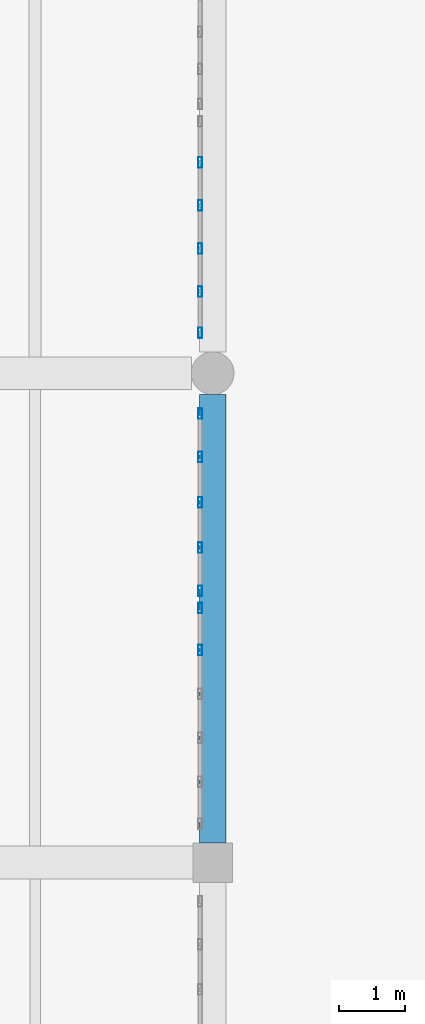
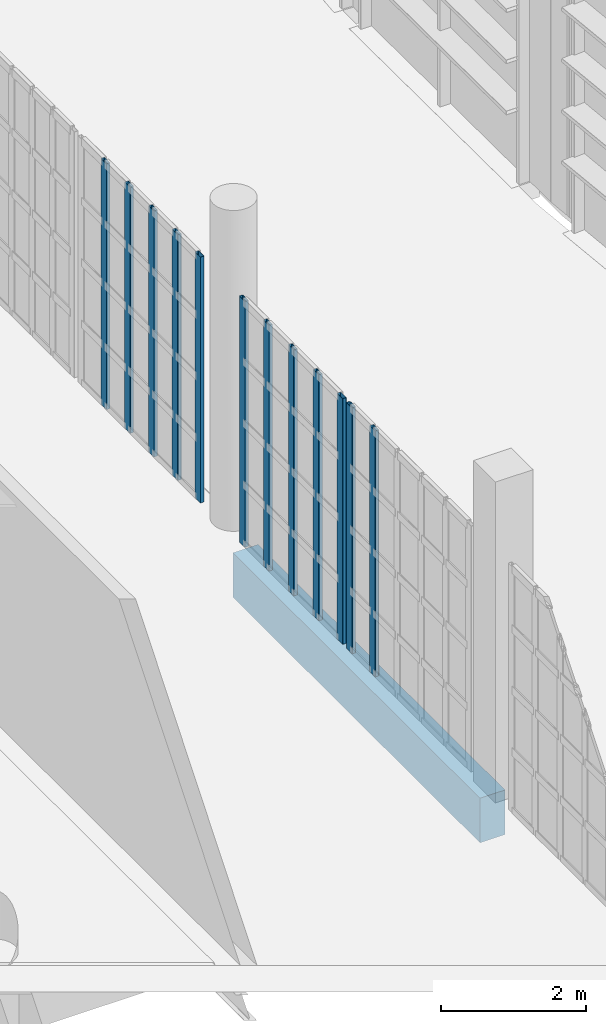
# One storey, part 76 of 372: 12 members, 1 beam, 3 elements without a shape of their own.
"""IFC4 building model written with IfcOpenShell, lengths in metres."""

import ifcopenshell
import ifcopenshell.guid

model = None  # the IFC model being written
_history = None  # IfcOwnerHistory: only IFC2X3 demands one
_inside = {}  # id of a spatial element -> (the spatial element, [elements in it])
_under = {}  # id of a project, library or spatial element -> (it, [spatial elements below it])
_declared = {}  # id of a project -> (the project, [libraries it declares])
_typed = {}  # id of a type object -> (the type object, [elements of that type])
_made_of = {}  # id of a material, layer set ... -> (it, [elements and type objects made of it])


def new_model(schema):
    """Start an empty IFC model of exactly this schema.

    Asked for "IFC4X3", IfcOpenShell would pick the latest addendum, in which some entities
    have other attributes; the version numbers below select the first issue.
    IFC2X3 requires an IfcOwnerHistory on every rooted entity: one is made here for all.
    """
    global model, _history
    if schema == "IFC4X3":
        model = ifcopenshell.file(schema_version=(4, 3, 0, 0))
    else:
        model = ifcopenshell.file(schema=schema)
    _inside.clear()
    _under.clear()
    _declared.clear()
    _typed.clear()
    _made_of.clear()
    _history = None
    if model.schema == "IFC2X3":
        org = make("IfcOrganization", Name="unknown")
        user = make(
            "IfcPersonAndOrganization",
            ThePerson=make("IfcPerson", FamilyName="unknown"),
            TheOrganization=org,
        )
        app = make(
            "IfcApplication",
            ApplicationDeveloper=org,
            Version="unknown",
            ApplicationFullName="unknown",
            ApplicationIdentifier="unknown",
        )
        _history = make(
            "IfcOwnerHistory",
            OwningUser=user,
            OwningApplication=app,
            ChangeAction="ADDED",
            CreationDate=0,
        )
    return model


def make(cls, **values):
    """One entity of the class cls with the attributes given. An attribute that is None is left unset."""
    return model.create_entity(
        cls, **{name: value for name, value in values.items() if value is not None}
    )


def rooted(cls, **values):
    """An entity with a GlobalId (a new one), such as an element, a storey or a relation."""
    return make(cls, GlobalId=ifcopenshell.guid.new(), OwnerHistory=_history, **values)


def si_unit(unit_type, name, prefix=None):
    """IfcSIUnit, for example si_unit("LENGTHUNIT", "METRE", prefix="MILLI")."""
    return make("IfcSIUnit", UnitType=unit_type, Prefix=prefix, Name=name)


def assignment(units):
    """IfcUnitAssignment: the units of a project."""
    return None if units is None else make("IfcUnitAssignment", Units=units)


def point(xyz):
    """IfcCartesianPoint."""
    return None if xyz is None else make("IfcCartesianPoint", Coordinates=xyz)


def direction(xyz):
    """IfcDirection."""
    return None if xyz is None else make("IfcDirection", DirectionRatios=xyz)


def frame(location, z_axis=None, x_axis=None):
    """IfcAxis2Placement3D, a coordinate frame: its origin and axes. An axis left out is left unset."""
    return make(
        "IfcAxis2Placement3D",
        Location=point(location),
        Axis=direction(z_axis),
        RefDirection=direction(x_axis),
    )


def frame_2d(location, x_axis=None):
    """IfcAxis2Placement2D, a coordinate frame in the plane: its origin and x axis."""
    return make(
        "IfcAxis2Placement2D", Location=point(location), RefDirection=direction(x_axis)
    )


def origin():
    """The frame at (0, 0, 0) with its axes left unset."""
    return frame((0.0, 0.0, 0.0))


def origin_2d():
    """The frame at (0, 0) in the plane with its x axis left unset."""
    return frame_2d((0.0, 0.0))


def place(relative_to, where):
    """IfcLocalPlacement: puts the frame where relative to a parent placement (None: the world)."""
    return make(
        "IfcLocalPlacement", PlacementRelTo=relative_to, RelativePlacement=where
    )


def context(
    kind, dimensions, precision=None, world=None, true_north=None, identifier=None
):
    """IfcGeometricRepresentationContext, for example the 3D "Model" context."""
    return make(
        "IfcGeometricRepresentationContext",
        ContextIdentifier=identifier,
        ContextType=kind,
        CoordinateSpaceDimension=dimensions,
        Precision=precision,
        WorldCoordinateSystem=world,
        TrueNorth=true_north,
    )


def subcontext(parent, identifier, kind, view, scale=None):
    """IfcGeometricRepresentationSubContext, for example "Body" below "Model"."""
    return make(
        "IfcGeometricRepresentationSubContext",
        ContextIdentifier=identifier,
        ContextType=kind,
        ParentContext=parent,
        TargetScale=scale,
        TargetView=view,
    )


def project(units=None, contexts=None):
    """IfcProject with its units and contexts."""
    return rooted(
        "IfcProject",
        Name="project",
        RepresentationContexts=contexts,
        UnitsInContext=assignment(units),
    )


def spatial(cls, under=None, at=None, **own):
    """A site, building, storey or space (cls), placed at a placement, below another one or the project."""
    s = rooted(cls, ObjectPlacement=at, **own)
    if under is not None:
        _under.setdefault(under.id(), (under, []))[1].append(s)
    return s


def profile(cls, at=None, kind="AREA", **sizes):
    """A parametric profile (cls). Its sizes go by their IFC names, for example OverallWidth=200.0."""
    return make(cls, ProfileType=kind, Position=at, **sizes)


def rectangle(**sizes):
    """IfcRectangleProfileDef."""
    return profile("IfcRectangleProfileDef", **sizes)


def hollow_rectangle(**sizes):
    """IfcRectangleHollowProfileDef."""
    return profile("IfcRectangleHollowProfileDef", **sizes)


def extrude(swept, where, along, depth):
    """IfcExtrudedAreaSolid: the profile swept, set in the frame where, extruded along a direction by depth."""
    return make(
        "IfcExtrudedAreaSolid",
        SweptArea=swept,
        Position=where,
        ExtrudedDirection=direction(along),
        Depth=depth,
    )


def shape(context_of_items, identifier, shape_type, items):
    """IfcShapeRepresentation: the items that make up one representation, for example the "Body"."""
    return make(
        "IfcShapeRepresentation",
        ContextOfItems=context_of_items,
        RepresentationIdentifier=identifier,
        RepresentationType=shape_type,
        Items=items,
    )


def material(Name=None, Category=None):
    """IfcMaterial."""
    return make("IfcMaterial", Name=Name, Category=Category)


def material_profile(
    of_material, cross_section, Name=None, Category=None, Priority=None
):
    """IfcMaterialProfile: a cross section and its material."""
    return make(
        "IfcMaterialProfile",
        Name=Name,
        Material=of_material,
        Profile=cross_section,
        Priority=Priority,
        Category=Category,
    )


def profile_set(profiles, Name=None, composite=None):
    """IfcMaterialProfileSet."""
    return make(
        "IfcMaterialProfileSet",
        Name=Name,
        MaterialProfiles=profiles,
        CompositeProfile=composite,
    )


def made_of(thing, what):
    """Note that an element or type object is made of a material, layer set ...; save() writes the relation."""
    if what is not None:
        _made_of.setdefault(what.id(), (what, []))[1].append(thing)
    return thing


def type_object(cls, material=None, **own):
    """A type object (cls), such as IfcWallType, which elements share."""
    return made_of(rooted(cls, **own), material)


def element(
    cls,
    number,
    at=None,
    inside=None,
    cuts=None,
    type_object=None,
    material=None,
    context=None,
    identifier="Body",
    shape_type=None,
    held_by="IfcProductDefinitionShape",
    body=None,
    shapes=None,
    **own,
):
    """One element of the class cls, such as IfcWall. Its Tag is "e" and its number.

    at: its placement. inside: the storey or other place that contains it. cuts: it is an
    opening in that element (IfcRelVoidsElement). A single representation is given by context,
    identifier, shape_type and body (its items); several are given by shapes. held_by: the class
    of the entity that holds the representations. save() writes the other relations.
    """
    e = rooted(cls, Tag="e%d" % number, ObjectPlacement=at, **own)
    if body is not None:
        shapes = [shape(context, identifier, shape_type, body)]
    if shapes is not None:
        e.Representation = make(held_by, Representations=shapes)
    if inside is not None:
        _inside.setdefault(inside.id(), (inside, []))[1].append(e)
    if cuts is not None:
        rooted(
            "IfcRelVoidsElement", RelatingBuildingElement=cuts, RelatedOpeningElement=e
        )
    if type_object is not None:
        _typed.setdefault(type_object.id(), (type_object, []))[1].append(e)
    return made_of(e, material)


def aggregate(whole, parts):
    """IfcRelAggregates: a whole, such as a stair, and the parts it consists of."""
    return rooted("IfcRelAggregates", RelatingObject=whole, RelatedObjects=parts)


def save(model, path):
    """Write the relations noted so far, then the file.

    IfcRelAggregates (storeys below a building ...), IfcRelContainedInSpatialStructure (elements
    in a storey), IfcRelDefinesByType, IfcRelAssociatesMaterial and IfcRelDeclares: one each for
    every whole, place, type object, material and project.
    """
    for whole, parts in _under.values():
        aggregate(whole, parts)
    for where, things in _inside.values():
        rooted(
            "IfcRelContainedInSpatialStructure",
            RelatedElements=things,
            RelatingStructure=where,
        )
    for kind, things in _typed.values():
        rooted("IfcRelDefinesByType", RelatedObjects=things, RelatingType=kind)
    for what, things in _made_of.values():
        rooted("IfcRelAssociatesMaterial", RelatedObjects=things, RelatingMaterial=what)
    for by, libraries in _declared.values():
        rooted("IfcRelDeclares", RelatingContext=by, RelatedDefinitions=libraries)
    model.write(path)


model = new_model("IFC4")

# Units and contexts
model_context = context("Model", 3, precision=1e-05, world=origin(), true_north=direction((0.0, 1.0)))
body_context = subcontext(model_context, "Body", "Model", "MODEL_VIEW")
ifc_project = project(units=[si_unit("LENGTHUNIT", "METRE"), si_unit("AREAUNIT", "SQUARE_METRE"), si_unit("VOLUMEUNIT", "CUBIC_METRE"), si_unit("PLANEANGLEUNIT", "RADIAN"), si_unit("MASSUNIT", "GRAM", prefix="KILO")], contexts=[model_context])

# Site, building, storey
site_placement = place(None, origin())
site = spatial("IfcSite", under=ifc_project, at=site_placement, CompositionType="ELEMENT")
building_placement = place(site_placement, origin())
building = spatial("IfcBuilding", under=site, at=building_placement, Name="Kaelora Sail Theatre", CompositionType="ELEMENT")
storey_placement = place(building_placement, origin())
storey = spatial("IfcBuildingStorey", under=building, at=storey_placement, Name="L00", CompositionType="ELEMENT", Elevation=0.0)

# Curtain wall, members
ifc_material_1 = material(Name="Anodised aluminium and solar-control low-E IGU", Category="aluminium")
curtain_wall_type = type_object("IfcCurtainWallType", Name="ARC-CW-CW-FOY2", PredefinedType="NOTDEFINED", material=ifc_material_1)
curtain_wall_1_placement = place(storey_placement, origin())
curtain_wall_1 = element("IfcCurtainWall", 1, at=curtain_wall_1_placement, inside=storey, type_object=curtain_wall_type, Name="Glazed Colonnade/Courtyard Curtain Wall COLW-E-L00-03", PredefinedType="NOTDEFINED")
ifc_material_2 = material(Name="Anodised aluminium 6063-T6", Category="aluminium")
ifc_material_profile_1 = material_profile(ifc_material_2, hollow_rectangle(XDim=0.06005859375, YDim=0.159912109375, WallThickness=0.00390625, InnerFilletRadius=0.00390625, OuterFilletRadius=0.008056640625, at=origin_2d()), Name="ALU-MULL 60x160x4")
ifc_profile_set_1 = profile_set([ifc_material_profile_1], Name="Anodised aluminium 6063-T6")
member_type = type_object("IfcMemberType", Name="ARC-MEM-ML-160", PredefinedType="MULLION", material=ifc_profile_set_1)
member_1_placement = place(storey_placement, frame((17.510009765625, 41.931884765625, 0.0), z_axis=(0.0, 0.0, 1.0), x_axis=(-1.0, 0.0, 0.0)))
member_1 = element("IfcMember", 2, at=member_1_placement, type_object=member_type, Name="CW-FOY2 mullion 5", PredefinedType="MULLION", context=body_context, shape_type="SweptSolid", body=[
    extrude(hollow_rectangle(XDim=0.06005859375, YDim=0.159912109375, WallThickness=0.00390625, InnerFilletRadius=0.00390625, OuterFilletRadius=0.008056640625, at=origin_2d()), origin(), (0.0, 0.0, 1.0), 4.136962890625),
])
member_2_placement = place(storey_placement, frame((17.510009765625, 42.570068359375, 0.0), z_axis=(0.0, 0.0, 1.0), x_axis=(-1.0, 0.0, 0.0)))
member_2 = element("IfcMember", 3, at=member_2_placement, type_object=member_type, Name="CW-FOY2 mullion 6", PredefinedType="MULLION", context=body_context, shape_type="SweptSolid", body=[
    extrude(hollow_rectangle(XDim=0.06005859375, YDim=0.159912109375, WallThickness=0.00390625, InnerFilletRadius=0.00390625, OuterFilletRadius=0.008056640625, at=origin_2d()), origin(), (0.0, 0.0, 1.0), 4.136962890625),
])
aggregate(curtain_wall_1, [member_1, member_2])

curtain_wall_2_placement = place(storey_placement, origin())
curtain_wall_2 = element("IfcCurtainWall", 4, at=curtain_wall_2_placement, inside=storey, type_object=curtain_wall_type, Name="Glazed Colonnade/Courtyard Curtain Wall COLW-E-L00-04", PredefinedType="NOTDEFINED")
member_3_placement = place(storey_placement, frame((17.510009765625, 42.830078125, 0.0), z_axis=(0.0, 0.0, 1.0), x_axis=(-1.0, 0.0, 0.0)))
member_3 = element("IfcMember", 5, at=member_3_placement, type_object=member_type, Name="CW-FOY2 mullion 1", PredefinedType="MULLION", context=body_context, shape_type="SweptSolid", body=[
    extrude(hollow_rectangle(XDim=0.06005859375, YDim=0.159912109375, WallThickness=0.00390625, InnerFilletRadius=0.00390625, OuterFilletRadius=0.008056640625, at=origin_2d()), origin(), (0.0, 0.0, 1.0), 4.136962890625),
])
member_4_placement = place(storey_placement, frame((17.510009765625, 43.48876953125, 0.0), z_axis=(0.0, 0.0, 1.0), x_axis=(-1.0, 0.0, 0.0)))
member_4 = element("IfcMember", 6, at=member_4_placement, type_object=member_type, Name="CW-FOY2 mullion 2", PredefinedType="MULLION", context=body_context, shape_type="SweptSolid", body=[
    extrude(hollow_rectangle(XDim=0.06005859375, YDim=0.159912109375, WallThickness=0.00390625, InnerFilletRadius=0.00390625, OuterFilletRadius=0.008056640625, at=origin_2d()), origin(), (0.0, 0.0, 1.0), 4.136962890625),
])
member_5_placement = place(storey_placement, frame((17.510009765625, 44.177490234375, 0.0), z_axis=(0.0, 0.0, 1.0), x_axis=(-1.0, 0.0, 0.0)))
member_5 = element("IfcMember", 7, at=member_5_placement, type_object=member_type, Name="CW-FOY2 mullion 3", PredefinedType="MULLION", context=body_context, shape_type="SweptSolid", body=[
    extrude(hollow_rectangle(XDim=0.06005859375, YDim=0.159912109375, WallThickness=0.00390625, InnerFilletRadius=0.00390625, OuterFilletRadius=0.008056640625, at=origin_2d()), origin(), (0.0, 0.0, 1.0), 4.136962890625),
])
member_6_placement = place(storey_placement, frame((17.510009765625, 44.8662109375, 0.0), z_axis=(0.0, 0.0, 1.0), x_axis=(-1.0, 0.0, 0.0)))
member_6 = element("IfcMember", 8, at=member_6_placement, type_object=member_type, Name="CW-FOY2 mullion 4", PredefinedType="MULLION", context=body_context, shape_type="SweptSolid", body=[
    extrude(hollow_rectangle(XDim=0.06005859375, YDim=0.159912109375, WallThickness=0.00390625, InnerFilletRadius=0.00390625, OuterFilletRadius=0.008056640625, at=origin_2d()), origin(), (0.0, 0.0, 1.0), 4.136962890625),
])
member_7_placement = place(storey_placement, frame((17.510009765625, 45.52490234375, 0.0), z_axis=(0.0, 0.0, 1.0), x_axis=(-1.0, 0.0, 0.0)))
member_7 = element("IfcMember", 9, at=member_7_placement, type_object=member_type, Name="CW-FOY2 mullion 5", PredefinedType="MULLION", context=body_context, shape_type="SweptSolid", body=[
    extrude(hollow_rectangle(XDim=0.06005859375, YDim=0.159912109375, WallThickness=0.00390625, InnerFilletRadius=0.00390625, OuterFilletRadius=0.008056640625, at=origin_2d()), origin(), (0.0, 0.0, 1.0), 4.136962890625),
])
aggregate(curtain_wall_2, [member_3, member_4, member_5, member_6, member_7])

curtain_wall_3_placement = place(storey_placement, origin())
curtain_wall_3 = element("IfcCurtainWall", 10, at=curtain_wall_3_placement, inside=storey, type_object=curtain_wall_type, Name="Glazed Colonnade/Courtyard Curtain Wall COLW-E-L00-05", PredefinedType="NOTDEFINED")
member_8_placement = place(storey_placement, frame((17.510009765625, 46.7548828125, 0.0), z_axis=(0.0, 0.0, 1.0), x_axis=(-1.0, 0.0, 0.0)))
member_8 = element("IfcMember", 11, at=member_8_placement, type_object=member_type, Name="CW-FOY2 mullion 1", PredefinedType="MULLION", context=body_context, shape_type="SweptSolid", body=[
    extrude(hollow_rectangle(XDim=0.06005859375, YDim=0.159912109375, WallThickness=0.00390625, InnerFilletRadius=0.00390625, OuterFilletRadius=0.008056640625, at=origin_2d()), origin(), (0.0, 0.0, 1.0), 4.136962890625),
])
member_9_placement = place(storey_placement, frame((17.510009765625, 47.3798828125, 0.0), z_axis=(0.0, 0.0, 1.0), x_axis=(-1.0, 0.0, 0.0)))
member_9 = element("IfcMember", 12, at=member_9_placement, type_object=member_type, Name="CW-FOY2 mullion 2", PredefinedType="MULLION", context=body_context, shape_type="SweptSolid", body=[
    extrude(hollow_rectangle(XDim=0.06005859375, YDim=0.159912109375, WallThickness=0.00390625, InnerFilletRadius=0.00390625, OuterFilletRadius=0.008056640625, at=origin_2d()), origin(), (0.0, 0.0, 1.0), 4.136962890625),
])
member_10_placement = place(storey_placement, frame((17.510009765625, 48.034912109375, 0.0), z_axis=(0.0, 0.0, 1.0), x_axis=(-1.0, 0.0, 0.0)))
member_10 = element("IfcMember", 13, at=member_10_placement, type_object=member_type, Name="CW-FOY2 mullion 3", PredefinedType="MULLION", context=body_context, shape_type="SweptSolid", body=[
    extrude(hollow_rectangle(XDim=0.06005859375, YDim=0.159912109375, WallThickness=0.00390625, InnerFilletRadius=0.00390625, OuterFilletRadius=0.008056640625, at=origin_2d()), origin(), (0.0, 0.0, 1.0), 4.136962890625),
])
member_11_placement = place(storey_placement, frame((17.510009765625, 48.68994140625, 0.0), z_axis=(0.0, 0.0, 1.0), x_axis=(-1.0, 0.0, 0.0)))
member_11 = element("IfcMember", 14, at=member_11_placement, type_object=member_type, Name="CW-FOY2 mullion 4", PredefinedType="MULLION", context=body_context, shape_type="SweptSolid", body=[
    extrude(hollow_rectangle(XDim=0.06005859375, YDim=0.159912109375, WallThickness=0.00390625, InnerFilletRadius=0.00390625, OuterFilletRadius=0.008056640625, at=origin_2d()), origin(), (0.0, 0.0, 1.0), 4.136962890625),
])
member_12_placement = place(storey_placement, frame((17.510009765625, 49.344970703125, 0.0), z_axis=(0.0, 0.0, 1.0), x_axis=(-1.0, 0.0, 0.0)))
member_12 = element("IfcMember", 15, at=member_12_placement, type_object=member_type, Name="CW-FOY2 mullion 5", PredefinedType="MULLION", context=body_context, shape_type="SweptSolid", body=[
    extrude(hollow_rectangle(XDim=0.06005859375, YDim=0.159912109375, WallThickness=0.00390625, InnerFilletRadius=0.00390625, OuterFilletRadius=0.008056640625, at=origin_2d()), origin(), (0.0, 0.0, 1.0), 4.136962890625),
])
aggregate(curtain_wall_3, [member_8, member_9, member_10, member_11, member_12])

# Beam
ifc_material_3 = material(Name="Concrete C40/50", Category="concrete")
ifc_material_profile_2 = material_profile(ifc_material_3, rectangle(XDim=0.39990234375, YDim=0.75, at=origin_2d()), Name="RC-BM 400x750")
ifc_profile_set_2 = profile_set([ifc_material_profile_2], Name="Concrete C40/50")
beam_type = type_object("IfcBeamType", Name="STR-BM-BM-RC4075", PredefinedType="BEAM", material=ifc_profile_set_2)
beam_placement = place(storey_placement, frame((17.699951171875, 39.0, -0.695068359375), z_axis=(0.0, 1.0, 0.0), x_axis=(-1.0, 0.0, 0.0)))
element("IfcBeam", 16, at=beam_placement, inside=storey, type_object=beam_type, Name="Primary beam 3 F-G (L00)", PredefinedType="BEAM", context=body_context, shape_type="SweptSolid", body=[
    extrude(rectangle(XDim=0.39990234375, YDim=0.75, at=origin_2d()), origin(), (0.0, 0.0, 1.0), 6.81494140625),
])

save(model, "model.ifc")
